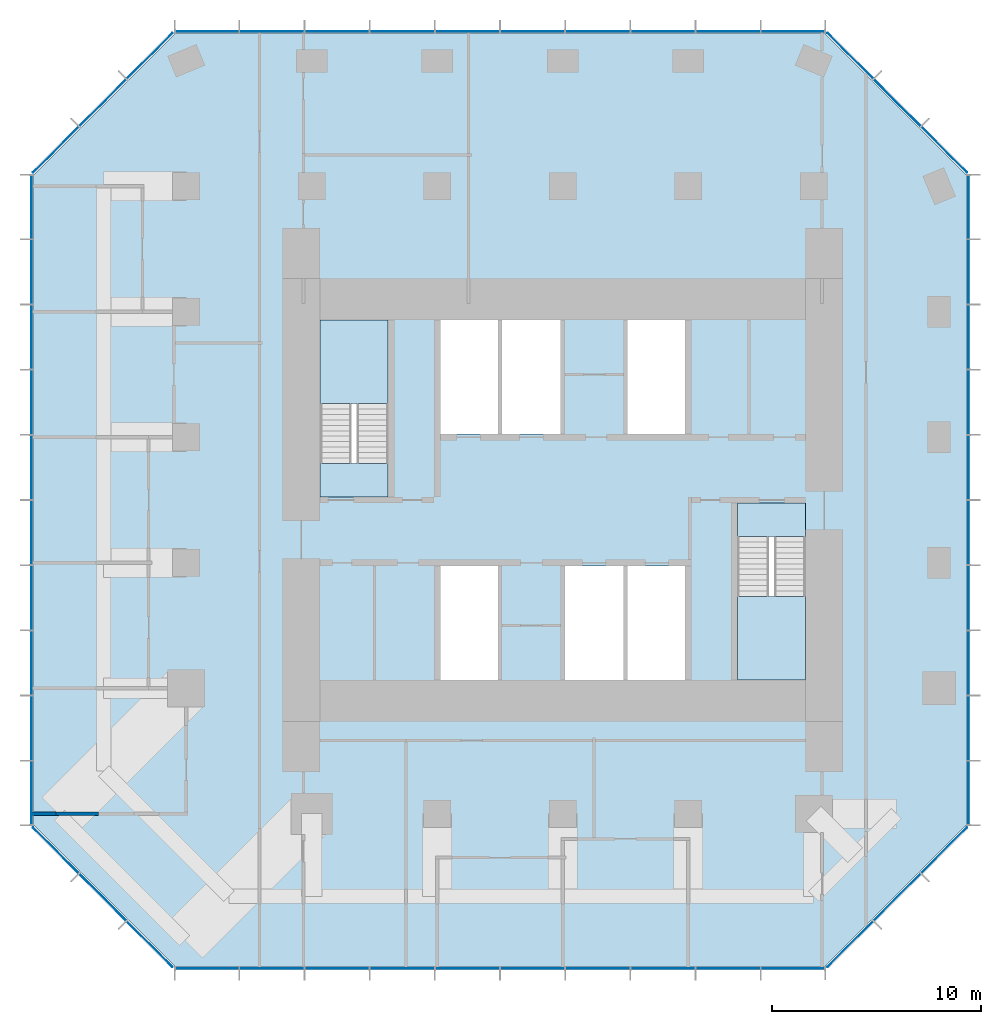
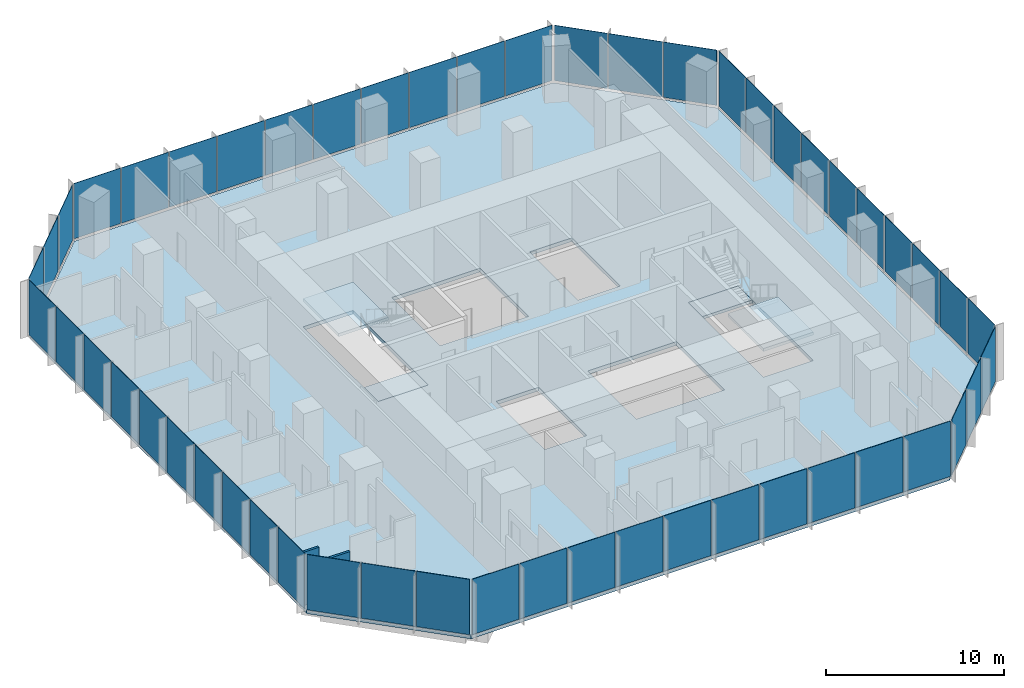
# One storey, part 7 of 11: 52 plates, 5 slabs, 2 walls, 10 elements without a shape of their own.
"""IFC4 building model written with IfcOpenShell, lengths in metres."""

from ifc_helpers import new_model, si_unit, direction, frame, frame_2d, origin, origin_2d, place, context, subcontext, project, spatial, polyline, rectangle, outline, extrude, material, layer, layer_set, type_object, element, aggregate, save


model = new_model("IFC4")

# Units and contexts
model_context = context("Model", 3, precision=1e-05, world=origin(), true_north=direction((0.0, 1.0)))
body_context = subcontext(model_context, "Body", "Model", "MODEL_VIEW")
ifc_project = project(units=[si_unit("LENGTHUNIT", "METRE"), si_unit("AREAUNIT", "SQUARE_METRE"), si_unit("VOLUMEUNIT", "CUBIC_METRE"), si_unit("PLANEANGLEUNIT", "RADIAN"), si_unit("MASSUNIT", "GRAM", prefix="KILO")], contexts=[model_context])

# Site, building, storey
site_placement = place(None, origin())
site = spatial("IfcSite", under=ifc_project, at=site_placement, CompositionType="ELEMENT")
building_placement = place(site_placement, origin())
building = spatial("IfcBuilding", under=site, at=building_placement, Name="Highveld Stack Headquarters", CompositionType="ELEMENT")
storey_placement = place(building_placement, frame((0.0, 0.0, 227.89990234375)))
storey = spatial("IfcBuildingStorey", under=building, at=storey_placement, Name="L56", CompositionType="ELEMENT", Elevation=227.89990234375)

# Curtain wall, plates
ifc_material_1 = material(Name="Aluminium bronze anodised", Category="aluminium")
ifc_layer_1 = layer(ifc_material_1, 0.199951171875)
ifc_layer_set_1 = layer_set([ifc_layer_1], Name="Aluminium bronze anodised")
curtain_wall_type_1 = type_object("IfcCurtainWallType", Name="CW1 TOWER UNITISED CURTAIN WALL", PredefinedType="NOTDEFINED", material=ifc_layer_set_1)
curtain_wall_1_placement = place(storey_placement, origin())
curtain_wall_1 = element("IfcCurtainWall", 1, at=curtain_wall_1_placement, inside=storey, type_object=curtain_wall_type_1, Name="Curtain wall CW1 L56 S", PredefinedType="NOTDEFINED")
ifc_material_2 = material(Name="Glass bronze tinted double glazed unit", Category="glass")
ifc_layer_2 = layer(ifc_material_2, 0.028076171875)
ifc_layer_set_2 = layer_set([ifc_layer_2], Name="Glass bronze tinted double glazed unit")
plate_type_1 = type_object("IfcPlateType", Name="CW1 PANEL BRONZE TINTED DOUBLE GLAZED UNIT", PredefinedType="CURTAIN_PANEL", material=ifc_layer_set_2)
plate_1_placement = place(storey_placement, frame((-11.005615234375, -19.39990234375, 0.10009765625), z_axis=(0.0, 0.0, 1.0), x_axis=(1.0, 0.0, 0.0)))
plate_1 = element("IfcPlate", 2, at=plate_1_placement, type_object=plate_type_1, Name="CW1 panel L56 1.1", PredefinedType="CURTAIN_PANEL", context=body_context, shape_type="SweptSolid", body=[
    extrude(rectangle(XDim=3.0185546875, YDim=0.028076171875, at=origin_2d()), origin(), (0.0, 0.0, 1.0), 3.800048828125),
])
plate_2_placement = place(storey_placement, frame((-7.906005859375, -19.39990234375, 0.10009765625), z_axis=(0.0, 0.0, 1.0), x_axis=(1.0, 0.0, 0.0)))
plate_2 = element("IfcPlate", 3, at=plate_2_placement, type_object=plate_type_1, Name="CW1 panel L56 2.1", PredefinedType="CURTAIN_PANEL", context=body_context, shape_type="SweptSolid", body=[
    extrude(rectangle(XDim=3.051025390625, YDim=0.028076171875, at=origin_2d()), origin(), (0.0, 0.0, 1.0), 3.800048828125),
])
plate_3_placement = place(storey_placement, frame((-4.7900390625, -19.39990234375, 0.10009765625), z_axis=(0.0, 0.0, 1.0), x_axis=(1.0, 0.0, 0.0)))
plate_3 = element("IfcPlate", 4, at=plate_3_placement, type_object=plate_type_1, Name="CW1 panel L56 3.1", PredefinedType="CURTAIN_PANEL", context=body_context, shape_type="SweptSolid", body=[
    extrude(rectangle(XDim=3.051025390625, YDim=0.028076171875, at=origin_2d()), origin(), (0.0, 0.0, 1.0), 3.800048828125),
])
plate_4_placement = place(storey_placement, frame((-1.674072265625, -19.39990234375, 0.10009765625), z_axis=(0.0, 0.0, 1.0), x_axis=(1.0, 0.0, 0.0)))
plate_4 = element("IfcPlate", 5, at=plate_4_placement, type_object=plate_type_1, Name="CW1 panel L56 4.1", PredefinedType="CURTAIN_PANEL", context=body_context, shape_type="SweptSolid", body=[
    extrude(rectangle(XDim=3.051025390625, YDim=0.028076171875, at=origin_2d()), origin(), (0.0, 0.0, 1.0), 3.800048828125),
])
plate_5_placement = place(storey_placement, frame((1.44189453125, -19.39990234375, 0.10009765625), z_axis=(0.0, 0.0, 1.0), x_axis=(1.0, 0.0, 0.0)))
plate_5 = element("IfcPlate", 6, at=plate_5_placement, type_object=plate_type_1, Name="CW1 panel L56 5.1", PredefinedType="CURTAIN_PANEL", context=body_context, shape_type="SweptSolid", body=[
    extrude(rectangle(XDim=3.051025390625, YDim=0.028076171875, at=origin_2d()), origin(), (0.0, 0.0, 1.0), 3.800048828125),
])
plate_6_placement = place(storey_placement, frame((4.55810546875, -19.39990234375, 0.10009765625), z_axis=(0.0, 0.0, 1.0), x_axis=(1.0, 0.0, 0.0)))
plate_6 = element("IfcPlate", 7, at=plate_6_placement, type_object=plate_type_1, Name="CW1 panel L56 6.1", PredefinedType="CURTAIN_PANEL", context=body_context, shape_type="SweptSolid", body=[
    extrude(rectangle(XDim=3.051025390625, YDim=0.028076171875, at=origin_2d()), origin(), (0.0, 0.0, 1.0), 3.800048828125),
])
plate_7_placement = place(storey_placement, frame((7.674072265625, -19.39990234375, 0.10009765625), z_axis=(0.0, 0.0, 1.0), x_axis=(1.0, 0.0, 0.0)))
plate_7 = element("IfcPlate", 8, at=plate_7_placement, type_object=plate_type_1, Name="CW1 panel L56 7.1", PredefinedType="CURTAIN_PANEL", context=body_context, shape_type="SweptSolid", body=[
    extrude(rectangle(XDim=3.051025390625, YDim=0.028076171875, at=origin_2d()), origin(), (0.0, 0.0, 1.0), 3.800048828125),
])
plate_8_placement = place(storey_placement, frame((10.789794921875, -19.39990234375, 0.10009765625), z_axis=(0.0, 0.0, 1.0), x_axis=(1.0, 0.0, 0.0)))
plate_8 = element("IfcPlate", 9, at=plate_8_placement, type_object=plate_type_1, Name="CW1 panel L56 8.1", PredefinedType="CURTAIN_PANEL", context=body_context, shape_type="SweptSolid", body=[
    extrude(rectangle(XDim=3.051025390625, YDim=0.028076171875, at=origin_2d()), origin(), (0.0, 0.0, 1.0), 3.800048828125),
])
plate_9_placement = place(storey_placement, frame((13.906005859375, -19.39990234375, 0.10009765625), z_axis=(0.0, 0.0, 1.0), x_axis=(1.0, 0.0, 0.0)))
plate_9 = element("IfcPlate", 10, at=plate_9_placement, type_object=plate_type_1, Name="CW1 panel L56 9.1", PredefinedType="CURTAIN_PANEL", context=body_context, shape_type="SweptSolid", body=[
    extrude(rectangle(XDim=3.051025390625, YDim=0.028076171875, at=origin_2d()), origin(), (0.0, 0.0, 1.0), 3.800048828125),
])
plate_10_placement = place(storey_placement, frame((17.005615234375, -19.39990234375, 0.10009765625), z_axis=(0.0, 0.0, 1.0), x_axis=(1.0, 0.0, 0.0)))
plate_10 = element("IfcPlate", 11, at=plate_10_placement, type_object=plate_type_1, Name="CW1 panel L56 10.1", PredefinedType="CURTAIN_PANEL", context=body_context, shape_type="SweptSolid", body=[
    extrude(rectangle(XDim=3.0185546875, YDim=0.028076171875, at=origin_2d()), origin(), (0.0, 0.0, 1.0), 3.800048828125),
])
aggregate(curtain_wall_1, [plate_1, plate_2, plate_3, plate_4, plate_5, plate_6, plate_7, plate_8, plate_9, plate_10])

curtain_wall_2_placement = place(storey_placement, origin())
curtain_wall_2 = element("IfcCurtainWall", 12, at=curtain_wall_2_placement, inside=storey, type_object=curtain_wall_type_1, Name="Curtain wall CW1 L56 E", PredefinedType="NOTDEFINED")
plate_11_placement = place(storey_placement, frame((25.39990234375, -11.005615234375, 0.10009765625), z_axis=(0.0, 0.0, 1.0), x_axis=(0.0, 1.0, 0.0)))
plate_11 = element("IfcPlate", 13, at=plate_11_placement, type_object=plate_type_1, Name="CW1 panel L56 1.1", PredefinedType="CURTAIN_PANEL", context=body_context, shape_type="SweptSolid", body=[
    extrude(rectangle(XDim=3.0185546875, YDim=0.028076171875, at=origin_2d()), origin(), (0.0, 0.0, 1.0), 3.800048828125),
])
plate_12_placement = place(storey_placement, frame((25.39990234375, -7.906005859375, 0.10009765625), z_axis=(0.0, 0.0, 1.0), x_axis=(0.0, 1.0, 0.0)))
plate_12 = element("IfcPlate", 14, at=plate_12_placement, type_object=plate_type_1, Name="CW1 panel L56 2.1", PredefinedType="CURTAIN_PANEL", context=body_context, shape_type="SweptSolid", body=[
    extrude(rectangle(XDim=3.051025390625, YDim=0.028076171875, at=origin_2d()), origin(), (0.0, 0.0, 1.0), 3.800048828125),
])
plate_13_placement = place(storey_placement, frame((25.39990234375, -4.7900390625, 0.10009765625), z_axis=(0.0, 0.0, 1.0), x_axis=(0.0, 1.0, 0.0)))
plate_13 = element("IfcPlate", 15, at=plate_13_placement, type_object=plate_type_1, Name="CW1 panel L56 3.1", PredefinedType="CURTAIN_PANEL", context=body_context, shape_type="SweptSolid", body=[
    extrude(rectangle(XDim=3.051025390625, YDim=0.028076171875, at=origin_2d()), origin(), (0.0, 0.0, 1.0), 3.800048828125),
])
plate_14_placement = place(storey_placement, frame((25.39990234375, -1.674072265625, 0.10009765625), z_axis=(0.0, 0.0, 1.0), x_axis=(0.0, 1.0, 0.0)))
plate_14 = element("IfcPlate", 16, at=plate_14_placement, type_object=plate_type_1, Name="CW1 panel L56 4.1", PredefinedType="CURTAIN_PANEL", context=body_context, shape_type="SweptSolid", body=[
    extrude(rectangle(XDim=3.051025390625, YDim=0.028076171875, at=origin_2d()), origin(), (0.0, 0.0, 1.0), 3.800048828125),
])
plate_15_placement = place(storey_placement, frame((25.39990234375, 1.44189453125, 0.10009765625), z_axis=(0.0, 0.0, 1.0), x_axis=(0.0, 1.0, 0.0)))
plate_15 = element("IfcPlate", 17, at=plate_15_placement, type_object=plate_type_1, Name="CW1 panel L56 5.1", PredefinedType="CURTAIN_PANEL", context=body_context, shape_type="SweptSolid", body=[
    extrude(rectangle(XDim=3.051025390625, YDim=0.028076171875, at=origin_2d()), origin(), (0.0, 0.0, 1.0), 3.800048828125),
])
plate_16_placement = place(storey_placement, frame((25.39990234375, 4.55810546875, 0.10009765625), z_axis=(0.0, 0.0, 1.0), x_axis=(0.0, 1.0, 0.0)))
plate_16 = element("IfcPlate", 18, at=plate_16_placement, type_object=plate_type_1, Name="CW1 panel L56 6.1", PredefinedType="CURTAIN_PANEL", context=body_context, shape_type="SweptSolid", body=[
    extrude(rectangle(XDim=3.051025390625, YDim=0.028076171875, at=origin_2d()), origin(), (0.0, 0.0, 1.0), 3.800048828125),
])
plate_17_placement = place(storey_placement, frame((25.39990234375, 7.674072265625, 0.10009765625), z_axis=(0.0, 0.0, 1.0), x_axis=(0.0, 1.0, 0.0)))
plate_17 = element("IfcPlate", 19, at=plate_17_placement, type_object=plate_type_1, Name="CW1 panel L56 7.1", PredefinedType="CURTAIN_PANEL", context=body_context, shape_type="SweptSolid", body=[
    extrude(rectangle(XDim=3.051025390625, YDim=0.028076171875, at=origin_2d()), origin(), (0.0, 0.0, 1.0), 3.800048828125),
])
plate_18_placement = place(storey_placement, frame((25.39990234375, 10.789794921875, 0.10009765625), z_axis=(0.0, 0.0, 1.0), x_axis=(0.0, 1.0, 0.0)))
plate_18 = element("IfcPlate", 20, at=plate_18_placement, type_object=plate_type_1, Name="CW1 panel L56 8.1", PredefinedType="CURTAIN_PANEL", context=body_context, shape_type="SweptSolid", body=[
    extrude(rectangle(XDim=3.051025390625, YDim=0.028076171875, at=origin_2d()), origin(), (0.0, 0.0, 1.0), 3.800048828125),
])
plate_19_placement = place(storey_placement, frame((25.39990234375, 13.906005859375, 0.10009765625), z_axis=(0.0, 0.0, 1.0), x_axis=(0.0, 1.0, 0.0)))
plate_19 = element("IfcPlate", 21, at=plate_19_placement, type_object=plate_type_1, Name="CW1 panel L56 9.1", PredefinedType="CURTAIN_PANEL", context=body_context, shape_type="SweptSolid", body=[
    extrude(rectangle(XDim=3.051025390625, YDim=0.028076171875, at=origin_2d()), origin(), (0.0, 0.0, 1.0), 3.800048828125),
])
plate_20_placement = place(storey_placement, frame((25.39990234375, 17.005615234375, 0.10009765625), z_axis=(0.0, 0.0, 1.0), x_axis=(0.0, 1.0, 0.0)))
plate_20 = element("IfcPlate", 22, at=plate_20_placement, type_object=plate_type_1, Name="CW1 panel L56 10.1", PredefinedType="CURTAIN_PANEL", context=body_context, shape_type="SweptSolid", body=[
    extrude(rectangle(XDim=3.0185546875, YDim=0.028076171875, at=origin_2d()), origin(), (0.0, 0.0, 1.0), 3.800048828125),
])
aggregate(curtain_wall_2, [plate_11, plate_12, plate_13, plate_14, plate_15, plate_16, plate_17, plate_18, plate_19, plate_20])

curtain_wall_3_placement = place(storey_placement, origin())
curtain_wall_3 = element("IfcCurtainWall", 23, at=curtain_wall_3_placement, inside=storey, type_object=curtain_wall_type_1, Name="Curtain wall CW1 L56 N", PredefinedType="NOTDEFINED")
plate_21_placement = place(storey_placement, frame((17.005615234375, 25.39990234375, 0.10009765625), z_axis=(0.0, 0.0, 1.0), x_axis=(-1.0, 0.0, 0.0)))
plate_21 = element("IfcPlate", 24, at=plate_21_placement, type_object=plate_type_1, Name="CW1 panel L56 1.1", PredefinedType="CURTAIN_PANEL", context=body_context, shape_type="SweptSolid", body=[
    extrude(rectangle(XDim=3.0185546875, YDim=0.028076171875, at=origin_2d()), origin(), (0.0, 0.0, 1.0), 3.800048828125),
])
plate_22_placement = place(storey_placement, frame((13.906005859375, 25.39990234375, 0.10009765625), z_axis=(0.0, 0.0, 1.0), x_axis=(-1.0, 0.0, 0.0)))
plate_22 = element("IfcPlate", 25, at=plate_22_placement, type_object=plate_type_1, Name="CW1 panel L56 2.1", PredefinedType="CURTAIN_PANEL", context=body_context, shape_type="SweptSolid", body=[
    extrude(rectangle(XDim=3.051025390625, YDim=0.028076171875, at=origin_2d()), origin(), (0.0, 0.0, 1.0), 3.800048828125),
])
plate_23_placement = place(storey_placement, frame((10.7900390625, 25.39990234375, 0.10009765625), z_axis=(0.0, 0.0, 1.0), x_axis=(-1.0, 0.0, 0.0)))
plate_23 = element("IfcPlate", 26, at=plate_23_placement, type_object=plate_type_1, Name="CW1 panel L56 3.1", PredefinedType="CURTAIN_PANEL", context=body_context, shape_type="SweptSolid", body=[
    extrude(rectangle(XDim=3.051025390625, YDim=0.028076171875, at=origin_2d()), origin(), (0.0, 0.0, 1.0), 3.800048828125),
])
plate_24_placement = place(storey_placement, frame((7.674072265625, 25.39990234375, 0.10009765625), z_axis=(0.0, 0.0, 1.0), x_axis=(-1.0, 0.0, 0.0)))
plate_24 = element("IfcPlate", 27, at=plate_24_placement, type_object=plate_type_1, Name="CW1 panel L56 4.1", PredefinedType="CURTAIN_PANEL", context=body_context, shape_type="SweptSolid", body=[
    extrude(rectangle(XDim=3.051025390625, YDim=0.028076171875, at=origin_2d()), origin(), (0.0, 0.0, 1.0), 3.800048828125),
])
plate_25_placement = place(storey_placement, frame((4.55810546875, 25.39990234375, 0.10009765625), z_axis=(0.0, 0.0, 1.0), x_axis=(-1.0, 0.0, 0.0)))
plate_25 = element("IfcPlate", 28, at=plate_25_placement, type_object=plate_type_1, Name="CW1 panel L56 5.1", PredefinedType="CURTAIN_PANEL", context=body_context, shape_type="SweptSolid", body=[
    extrude(rectangle(XDim=3.051025390625, YDim=0.028076171875, at=origin_2d()), origin(), (0.0, 0.0, 1.0), 3.800048828125),
])
plate_26_placement = place(storey_placement, frame((1.44189453125, 25.39990234375, 0.10009765625), z_axis=(0.0, 0.0, 1.0), x_axis=(-1.0, 0.0, 0.0)))
plate_26 = element("IfcPlate", 29, at=plate_26_placement, type_object=plate_type_1, Name="CW1 panel L56 6.1", PredefinedType="CURTAIN_PANEL", context=body_context, shape_type="SweptSolid", body=[
    extrude(rectangle(XDim=3.051025390625, YDim=0.028076171875, at=origin_2d()), origin(), (0.0, 0.0, 1.0), 3.800048828125),
])
plate_27_placement = place(storey_placement, frame((-1.674072265625, 25.39990234375, 0.10009765625), z_axis=(0.0, 0.0, 1.0), x_axis=(-1.0, 0.0, 0.0)))
plate_27 = element("IfcPlate", 30, at=plate_27_placement, type_object=plate_type_1, Name="CW1 panel L56 7.1", PredefinedType="CURTAIN_PANEL", context=body_context, shape_type="SweptSolid", body=[
    extrude(rectangle(XDim=3.051025390625, YDim=0.028076171875, at=origin_2d()), origin(), (0.0, 0.0, 1.0), 3.800048828125),
])
plate_28_placement = place(storey_placement, frame((-4.789794921875, 25.39990234375, 0.10009765625), z_axis=(0.0, 0.0, 1.0), x_axis=(-1.0, 0.0, 0.0)))
plate_28 = element("IfcPlate", 31, at=plate_28_placement, type_object=plate_type_1, Name="CW1 panel L56 8.1", PredefinedType="CURTAIN_PANEL", context=body_context, shape_type="SweptSolid", body=[
    extrude(rectangle(XDim=3.051025390625, YDim=0.028076171875, at=origin_2d()), origin(), (0.0, 0.0, 1.0), 3.800048828125),
])
plate_29_placement = place(storey_placement, frame((-7.906005859375, 25.39990234375, 0.10009765625), z_axis=(0.0, 0.0, 1.0), x_axis=(-1.0, 0.0, 0.0)))
plate_29 = element("IfcPlate", 32, at=plate_29_placement, type_object=plate_type_1, Name="CW1 panel L56 9.1", PredefinedType="CURTAIN_PANEL", context=body_context, shape_type="SweptSolid", body=[
    extrude(rectangle(XDim=3.051025390625, YDim=0.028076171875, at=origin_2d()), origin(), (0.0, 0.0, 1.0), 3.800048828125),
])
plate_30_placement = place(storey_placement, frame((-11.005615234375, 25.39990234375, 0.10009765625), z_axis=(0.0, 0.0, 1.0), x_axis=(-1.0, 0.0, 0.0)))
plate_30 = element("IfcPlate", 33, at=plate_30_placement, type_object=plate_type_1, Name="CW1 panel L56 10.1", PredefinedType="CURTAIN_PANEL", context=body_context, shape_type="SweptSolid", body=[
    extrude(rectangle(XDim=3.0185546875, YDim=0.028076171875, at=origin_2d()), origin(), (0.0, 0.0, 1.0), 3.800048828125),
])
aggregate(curtain_wall_3, [plate_21, plate_22, plate_23, plate_24, plate_25, plate_26, plate_27, plate_28, plate_29, plate_30])

curtain_wall_4_placement = place(storey_placement, origin())
curtain_wall_4 = element("IfcCurtainWall", 34, at=curtain_wall_4_placement, inside=storey, type_object=curtain_wall_type_1, Name="Curtain wall CW1 L56 W", PredefinedType="NOTDEFINED")
plate_31_placement = place(storey_placement, frame((-19.39990234375, 17.005615234375, 0.10009765625), z_axis=(0.0, 0.0, 1.0), x_axis=(0.0, -1.0, 0.0)))
plate_31 = element("IfcPlate", 35, at=plate_31_placement, type_object=plate_type_1, Name="CW1 panel L56 1.1", PredefinedType="CURTAIN_PANEL", context=body_context, shape_type="SweptSolid", body=[
    extrude(rectangle(XDim=3.0185546875, YDim=0.028076171875, at=origin_2d()), origin(), (0.0, 0.0, 1.0), 3.800048828125),
])
plate_32_placement = place(storey_placement, frame((-19.39990234375, 13.906005859375, 0.10009765625), z_axis=(0.0, 0.0, 1.0), x_axis=(0.0, -1.0, 0.0)))
plate_32 = element("IfcPlate", 36, at=plate_32_placement, type_object=plate_type_1, Name="CW1 panel L56 2.1", PredefinedType="CURTAIN_PANEL", context=body_context, shape_type="SweptSolid", body=[
    extrude(rectangle(XDim=3.051025390625, YDim=0.028076171875, at=origin_2d()), origin(), (0.0, 0.0, 1.0), 3.800048828125),
])
plate_33_placement = place(storey_placement, frame((-19.39990234375, 10.7900390625, 0.10009765625), z_axis=(0.0, 0.0, 1.0), x_axis=(0.0, -1.0, 0.0)))
plate_33 = element("IfcPlate", 37, at=plate_33_placement, type_object=plate_type_1, Name="CW1 panel L56 3.1", PredefinedType="CURTAIN_PANEL", context=body_context, shape_type="SweptSolid", body=[
    extrude(rectangle(XDim=3.051025390625, YDim=0.028076171875, at=origin_2d()), origin(), (0.0, 0.0, 1.0), 3.800048828125),
])
plate_34_placement = place(storey_placement, frame((-19.39990234375, 7.674072265625, 0.10009765625), z_axis=(0.0, 0.0, 1.0), x_axis=(0.0, -1.0, 0.0)))
plate_34 = element("IfcPlate", 38, at=plate_34_placement, type_object=plate_type_1, Name="CW1 panel L56 4.1", PredefinedType="CURTAIN_PANEL", context=body_context, shape_type="SweptSolid", body=[
    extrude(rectangle(XDim=3.051025390625, YDim=0.028076171875, at=origin_2d()), origin(), (0.0, 0.0, 1.0), 3.800048828125),
])
plate_35_placement = place(storey_placement, frame((-19.39990234375, 4.55810546875, 0.10009765625), z_axis=(0.0, 0.0, 1.0), x_axis=(0.0, -1.0, 0.0)))
plate_35 = element("IfcPlate", 39, at=plate_35_placement, type_object=plate_type_1, Name="CW1 panel L56 5.1", PredefinedType="CURTAIN_PANEL", context=body_context, shape_type="SweptSolid", body=[
    extrude(rectangle(XDim=3.051025390625, YDim=0.028076171875, at=origin_2d()), origin(), (0.0, 0.0, 1.0), 3.800048828125),
])
plate_36_placement = place(storey_placement, frame((-19.39990234375, 1.44189453125, 0.10009765625), z_axis=(0.0, 0.0, 1.0), x_axis=(0.0, -1.0, 0.0)))
plate_36 = element("IfcPlate", 40, at=plate_36_placement, type_object=plate_type_1, Name="CW1 panel L56 6.1", PredefinedType="CURTAIN_PANEL", context=body_context, shape_type="SweptSolid", body=[
    extrude(rectangle(XDim=3.051025390625, YDim=0.028076171875, at=origin_2d()), origin(), (0.0, 0.0, 1.0), 3.800048828125),
])
plate_37_placement = place(storey_placement, frame((-19.39990234375, -1.674072265625, 0.10009765625), z_axis=(0.0, 0.0, 1.0), x_axis=(0.0, -1.0, 0.0)))
plate_37 = element("IfcPlate", 41, at=plate_37_placement, type_object=plate_type_1, Name="CW1 panel L56 7.1", PredefinedType="CURTAIN_PANEL", context=body_context, shape_type="SweptSolid", body=[
    extrude(rectangle(XDim=3.051025390625, YDim=0.028076171875, at=origin_2d()), origin(), (0.0, 0.0, 1.0), 3.800048828125),
])
plate_38_placement = place(storey_placement, frame((-19.39990234375, -4.789794921875, 0.10009765625), z_axis=(0.0, 0.0, 1.0), x_axis=(0.0, -1.0, 0.0)))
plate_38 = element("IfcPlate", 42, at=plate_38_placement, type_object=plate_type_1, Name="CW1 panel L56 8.1", PredefinedType="CURTAIN_PANEL", context=body_context, shape_type="SweptSolid", body=[
    extrude(rectangle(XDim=3.051025390625, YDim=0.028076171875, at=origin_2d()), origin(), (0.0, 0.0, 1.0), 3.800048828125),
])
plate_39_placement = place(storey_placement, frame((-19.39990234375, -7.906005859375, 0.10009765625), z_axis=(0.0, 0.0, 1.0), x_axis=(0.0, -1.0, 0.0)))
plate_39 = element("IfcPlate", 43, at=plate_39_placement, type_object=plate_type_1, Name="CW1 panel L56 9.1", PredefinedType="CURTAIN_PANEL", context=body_context, shape_type="SweptSolid", body=[
    extrude(rectangle(XDim=3.051025390625, YDim=0.028076171875, at=origin_2d()), origin(), (0.0, 0.0, 1.0), 3.800048828125),
])
plate_40_placement = place(storey_placement, frame((-19.39990234375, -11.005615234375, 0.10009765625), z_axis=(0.0, 0.0, 1.0), x_axis=(0.0, -1.0, 0.0)))
plate_40 = element("IfcPlate", 44, at=plate_40_placement, type_object=plate_type_1, Name="CW1 panel L56 10.1", PredefinedType="CURTAIN_PANEL", context=body_context, shape_type="SweptSolid", body=[
    extrude(rectangle(XDim=3.0185546875, YDim=0.028076171875, at=origin_2d()), origin(), (0.0, 0.0, 1.0), 3.800048828125),
])
aggregate(curtain_wall_4, [plate_31, plate_32, plate_33, plate_34, plate_35, plate_36, plate_37, plate_38, plate_39, plate_40])

ifc_material_3 = material(Name="Aluminium bronze anodised", Category="aluminium")
ifc_layer_3 = layer(ifc_material_3, 0.199951171875)
ifc_layer_set_3 = layer_set([ifc_layer_3], Name="Aluminium bronze anodised")
curtain_wall_type_2 = type_object("IfcCurtainWallType", Name="CW2 TOWER CHAMFER UNITISED CURTAIN WALL", PredefinedType="NOTDEFINED", material=ifc_layer_set_3)
curtain_wall_5_placement = place(storey_placement, origin())
curtain_wall_5 = element("IfcCurtainWall", 45, at=curtain_wall_5_placement, inside=storey, type_object=curtain_wall_type_2, Name="Curtain wall CW2 L56 SE", PredefinedType="NOTDEFINED")
ifc_material_4 = material(Name="Glass bronze tinted double glazed unit", Category="glass")
ifc_layer_4 = layer(ifc_material_4, 0.028076171875)
ifc_layer_set_4 = layer_set([ifc_layer_4], Name="Glass bronze tinted double glazed unit")
plate_type_2 = type_object("IfcPlateType", Name="CW2 PANEL BRONZE TINTED DOUBLE GLAZED UNIT", PredefinedType="CURTAIN_PANEL", material=ifc_layer_set_4)
plate_41_placement = place(storey_placement, frame((19.740478515625, -18.239501953125, 0.10009765625), z_axis=(0.0, 0.0, 1.0), x_axis=(0.707106781187, 0.707106781187, 0.0)))
plate_41 = element("IfcPlate", 46, at=plate_41_placement, type_object=plate_type_2, Name="CW2 panel L56 1.1", PredefinedType="CURTAIN_PANEL", context=body_context, shape_type="SweptSolid", body=[
    extrude(rectangle(XDim=3.08251953125, YDim=0.028076171875, at=origin_2d()), origin(), (0.0, 0.0, 1.0), 3.800048828125),
])
plate_42_placement = place(storey_placement, frame((21.989990234375, -15.989990234375, 0.10009765625), z_axis=(0.0, 0.0, 1.0), x_axis=(0.707106781187, 0.707106781187, 0.0)))
plate_42 = element("IfcPlate", 47, at=plate_42_placement, type_object=plate_type_2, Name="CW2 panel L56 2.1", PredefinedType="CURTAIN_PANEL", context=body_context, shape_type="SweptSolid", body=[
    extrude(rectangle(XDim=3.14990234375, YDim=0.028076171875, at=origin_2d()), origin(), (0.0, 0.0, 1.0), 3.800048828125),
])
plate_43_placement = place(storey_placement, frame((24.239501953125, -13.740478515625, 0.10009765625), z_axis=(0.0, 0.0, 1.0), x_axis=(0.707106781187, 0.707106781187, 0.0)))
plate_43 = element("IfcPlate", 48, at=plate_43_placement, type_object=plate_type_2, Name="CW2 panel L56 3.1", PredefinedType="CURTAIN_PANEL", context=body_context, shape_type="SweptSolid", body=[
    extrude(rectangle(XDim=3.08251953125, YDim=0.028076171875, at=origin_2d()), origin(), (0.0, 0.0, 1.0), 3.800048828125),
])
aggregate(curtain_wall_5, [plate_41, plate_42, plate_43])

curtain_wall_6_placement = place(storey_placement, origin())
curtain_wall_6 = element("IfcCurtainWall", 49, at=curtain_wall_6_placement, inside=storey, type_object=curtain_wall_type_2, Name="Curtain wall CW2 L56 NE", PredefinedType="NOTDEFINED")
plate_44_placement = place(storey_placement, frame((24.239501953125, 19.740478515625, 0.10009765625), z_axis=(0.0, 0.0, 1.0), x_axis=(-0.707106781187, 0.707106781187, 0.0)))
plate_44 = element("IfcPlate", 50, at=plate_44_placement, type_object=plate_type_2, Name="CW2 panel L56 1.1", PredefinedType="CURTAIN_PANEL", context=body_context, shape_type="SweptSolid", body=[
    extrude(rectangle(XDim=3.08251953125, YDim=0.028076171875, at=origin_2d()), origin(), (0.0, 0.0, 1.0), 3.800048828125),
])
plate_45_placement = place(storey_placement, frame((21.989990234375, 21.989990234375, 0.10009765625), z_axis=(0.0, 0.0, 1.0), x_axis=(-0.707106781187, 0.707106781187, 0.0)))
plate_45 = element("IfcPlate", 51, at=plate_45_placement, type_object=plate_type_2, Name="CW2 panel L56 2.1", PredefinedType="CURTAIN_PANEL", context=body_context, shape_type="SweptSolid", body=[
    extrude(rectangle(XDim=3.14990234375, YDim=0.028076171875, at=origin_2d()), origin(), (0.0, 0.0, 1.0), 3.800048828125),
])
plate_46_placement = place(storey_placement, frame((19.740478515625, 24.239501953125, 0.10009765625), z_axis=(0.0, 0.0, 1.0), x_axis=(-0.707106781187, 0.707106781187, 0.0)))
plate_46 = element("IfcPlate", 52, at=plate_46_placement, type_object=plate_type_2, Name="CW2 panel L56 3.1", PredefinedType="CURTAIN_PANEL", context=body_context, shape_type="SweptSolid", body=[
    extrude(rectangle(XDim=3.08251953125, YDim=0.028076171875, at=origin_2d()), origin(), (0.0, 0.0, 1.0), 3.800048828125),
])
aggregate(curtain_wall_6, [plate_44, plate_45, plate_46])

curtain_wall_7_placement = place(storey_placement, origin())
curtain_wall_7 = element("IfcCurtainWall", 53, at=curtain_wall_7_placement, inside=storey, type_object=curtain_wall_type_2, Name="Curtain wall CW2 L56 NW", PredefinedType="NOTDEFINED")
plate_47_placement = place(storey_placement, frame((-13.740478515625, 24.239501953125, 0.10009765625), z_axis=(0.0, 0.0, 1.0), x_axis=(-0.707106781187, -0.707106781187, 0.0)))
plate_47 = element("IfcPlate", 54, at=plate_47_placement, type_object=plate_type_2, Name="CW2 panel L56 1.1", PredefinedType="CURTAIN_PANEL", context=body_context, shape_type="SweptSolid", body=[
    extrude(rectangle(XDim=3.08251953125, YDim=0.028076171875, at=origin_2d()), origin(), (0.0, 0.0, 1.0), 3.800048828125),
])
plate_48_placement = place(storey_placement, frame((-15.989990234375, 21.989990234375, 0.10009765625), z_axis=(0.0, 0.0, 1.0), x_axis=(-0.707106781187, -0.707106781187, 0.0)))
plate_48 = element("IfcPlate", 55, at=plate_48_placement, type_object=plate_type_2, Name="CW2 panel L56 2.1", PredefinedType="CURTAIN_PANEL", context=body_context, shape_type="SweptSolid", body=[
    extrude(rectangle(XDim=3.14990234375, YDim=0.028076171875, at=origin_2d()), origin(), (0.0, 0.0, 1.0), 3.800048828125),
])
plate_49_placement = place(storey_placement, frame((-18.239501953125, 19.740478515625, 0.10009765625), z_axis=(0.0, 0.0, 1.0), x_axis=(-0.707106781187, -0.707106781187, 0.0)))
plate_49 = element("IfcPlate", 56, at=plate_49_placement, type_object=plate_type_2, Name="CW2 panel L56 3.1", PredefinedType="CURTAIN_PANEL", context=body_context, shape_type="SweptSolid", body=[
    extrude(rectangle(XDim=3.08251953125, YDim=0.028076171875, at=origin_2d()), origin(), (0.0, 0.0, 1.0), 3.800048828125),
])
aggregate(curtain_wall_7, [plate_47, plate_48, plate_49])

curtain_wall_8_placement = place(storey_placement, origin())
curtain_wall_8 = element("IfcCurtainWall", 57, at=curtain_wall_8_placement, inside=storey, type_object=curtain_wall_type_2, Name="Curtain wall CW2 L56 SW", PredefinedType="NOTDEFINED")
plate_50_placement = place(storey_placement, frame((-18.239501953125, -13.740478515625, 0.10009765625), z_axis=(0.0, 0.0, 1.0), x_axis=(0.707106781187, -0.707106781187, 0.0)))
plate_50 = element("IfcPlate", 58, at=plate_50_placement, type_object=plate_type_2, Name="CW2 panel L56 1.1", PredefinedType="CURTAIN_PANEL", context=body_context, shape_type="SweptSolid", body=[
    extrude(rectangle(XDim=3.08251953125, YDim=0.028076171875, at=origin_2d()), origin(), (0.0, 0.0, 1.0), 3.800048828125),
])
plate_51_placement = place(storey_placement, frame((-15.989990234375, -15.989990234375, 0.10009765625), z_axis=(0.0, 0.0, 1.0), x_axis=(0.707106781187, -0.707106781187, 0.0)))
plate_51 = element("IfcPlate", 59, at=plate_51_placement, type_object=plate_type_2, Name="CW2 panel L56 2.1", PredefinedType="CURTAIN_PANEL", context=body_context, shape_type="SweptSolid", body=[
    extrude(rectangle(XDim=3.14990234375, YDim=0.028076171875, at=origin_2d()), origin(), (0.0, 0.0, 1.0), 3.800048828125),
])
plate_52_placement = place(storey_placement, frame((-13.740478515625, -18.239501953125, 0.10009765625), z_axis=(0.0, 0.0, 1.0), x_axis=(0.707106781187, -0.707106781187, 0.0)))
plate_52 = element("IfcPlate", 60, at=plate_52_placement, type_object=plate_type_2, Name="CW2 panel L56 3.1", PredefinedType="CURTAIN_PANEL", context=body_context, shape_type="SweptSolid", body=[
    extrude(rectangle(XDim=3.08251953125, YDim=0.028076171875, at=origin_2d()), origin(), (0.0, 0.0, 1.0), 3.800048828125),
])
aggregate(curtain_wall_8, [plate_50, plate_51, plate_52])

# Slab
ifc_material_5 = material(Name="Concrete C60/75", Category="concrete")
ifc_layer_5 = layer(ifc_material_5, 0.25)
ifc_layer_set_5 = layer_set([ifc_layer_5], Name="Concrete C60/75")
slab_type_1 = type_object("IfcSlabType", Name="PT FLAT SLAB 250", PredefinedType="FLOOR", material=ifc_layer_set_5)
slab_1_placement = place(storey_placement, frame((0.0, 0.0, -0.25)))
element("IfcSlab", 61, at=slab_1_placement, inside=storey, type_object=slab_type_1, Name="Floor slab L56", PredefinedType="FLOOR", context=body_context, shape_type="SweptSolid", body=[
    extrude(outline(polyline([(-12.53857421875, -19.300048828125), (18.53857421875, -19.300048828125), (25.300048828125, -12.53857421875), (25.300048828125, 18.53857421875), (18.53857421875, 25.300048828125), (-12.53857421875, 25.300048828125), (-19.300048828125, 18.53857421875), (-19.300048828125, -12.53857421875), (-12.53857421875, -19.300048828125)]), holes=[polyline([(0.14990234375, 6.14990234375), (5.89990234375, 6.14990234375), (5.89990234375, 11.60009765625), (0.14990234375, 11.60009765625), (0.14990234375, 6.14990234375)]), polyline([(9.10009765625, 6.14990234375), (11.85009765625, 6.14990234375), (11.85009765625, 11.60009765625), (9.10009765625, 11.60009765625), (9.10009765625, 6.14990234375)]), polyline([(6.10009765625, -5.60009765625), (11.85009765625, -5.60009765625), (11.85009765625, -0.14990234375), (6.10009765625, -0.14990234375), (6.10009765625, -5.60009765625)]), polyline([(0.14990234375, -5.60009765625), (2.89990234375, -5.60009765625), (2.89990234375, -0.14990234375), (0.14990234375, -0.14990234375), (0.14990234375, -5.60009765625)]), polyline([(-5.60009765625, 3.14990234375), (-2.35009765625, 3.14990234375), (-2.35009765625, 11.60009765625), (-5.60009765625, 11.60009765625), (-5.60009765625, 3.14990234375)]), polyline([(14.35009765625, -5.60009765625), (17.60009765625, -5.60009765625), (17.60009765625, 2.85009765625), (14.35009765625, 2.85009765625), (14.35009765625, -5.60009765625)])]), origin(), (0.0, 0.0, 1.0), 0.25),
])

# Stair, slabs
ifc_material_6 = material(Name="Concrete C40/50, precast", Category="concrete")
stair_type_1 = type_object("IfcStairType", Name="STAIR S1 HALF TURN 1500", PredefinedType="HALF_TURN_STAIR", material=ifc_material_6)
stair_1_placement = place(storey_placement, origin())
stair_1 = element("IfcStair", 62, at=stair_1_placement, inside=storey, type_object=stair_type_1, Name="Stair S1 L56", PredefinedType="HALF_TURN_STAIR")
ifc_material_7 = material(Name="Concrete C40/50, precast", Category="concrete")
ifc_layer_6 = layer(ifc_material_7, 0.199951171875)
ifc_layer_set_6 = layer_set([ifc_layer_6], Name="Concrete C40/50, precast")
slab_type_2 = type_object("IfcSlabType", Name="STAIR LANDING 200", PredefinedType="LANDING", material=ifc_layer_set_6)
slab_2_placement = place(storey_placement, frame((0.0, 0.0, 1.75)))
slab_2 = element("IfcSlab", 63, at=slab_2_placement, type_object=slab_type_2, Name="S1 landing 1", PredefinedType="LANDING", context=body_context, shape_type="SweptSolid", body=[
    extrude(outline(polyline([(-5.60009765625, 7.610107421875), (-2.35009765625, 7.610107421875), (-2.35009765625, 11.60009765625), (-5.60009765625, 11.60009765625), (-5.60009765625, 7.610107421875)])), origin(), (0.0, 0.0, 1.0), 0.2001953125),
])
slab_3_placement = place(storey_placement, frame((0.0, 0.0, -0.199951171875)))
slab_3 = element("IfcSlab", 64, at=slab_3_placement, type_object=slab_type_2, Name="S1 landing 2", PredefinedType="LANDING", context=body_context, shape_type="SweptSolid", body=[
    extrude(outline(polyline([(-5.60009765625, 3.14990234375), (-2.35009765625, 3.14990234375), (-2.35009765625, 4.75), (-5.60009765625, 4.75), (-5.60009765625, 3.14990234375)])), origin(), (0.0, 0.0, 1.0), 0.199951171875),
])
aggregate(stair_1, [slab_2, slab_3])

ifc_material_8 = material(Name="Concrete C40/50, precast", Category="concrete")
stair_type_2 = type_object("IfcStairType", Name="STAIR S2 HALF TURN 1500", PredefinedType="HALF_TURN_STAIR", material=ifc_material_8)
stair_2_placement = place(storey_placement, origin())
stair_2 = element("IfcStair", 65, at=stair_2_placement, inside=storey, type_object=stair_type_2, Name="Stair S2 L56", PredefinedType="HALF_TURN_STAIR")
slab_4_placement = place(storey_placement, frame((0.0, 0.0, 1.75)))
slab_4 = element("IfcSlab", 66, at=slab_4_placement, type_object=slab_type_2, Name="S2 landing 1", PredefinedType="LANDING", context=body_context, shape_type="SweptSolid", body=[
    extrude(outline(polyline([(14.35009765625, -5.60009765625), (17.60009765625, -5.60009765625), (17.60009765625, -1.610107421875), (14.35009765625, -1.610107421875), (14.35009765625, -5.60009765625)])), origin(), (0.0, 0.0, 1.0), 0.2001953125),
])
slab_5_placement = place(storey_placement, frame((0.0, 0.0, -0.199951171875)))
slab_5 = element("IfcSlab", 67, at=slab_5_placement, type_object=slab_type_2, Name="S2 landing 2", PredefinedType="LANDING", context=body_context, shape_type="SweptSolid", body=[
    extrude(outline(polyline([(14.35009765625, 1.25), (17.60009765625, 1.25), (17.60009765625, 2.85009765625), (14.35009765625, 2.85009765625), (14.35009765625, 1.25)])), origin(), (0.0, 0.0, 1.0), 0.199951171875),
])
aggregate(stair_2, [slab_4, slab_5])

# Walls
ifc_material_9 = material(Name="Gypsum plasterboard on steel studs", Category="steel")
ifc_layer_7 = layer(ifc_material_9, 0.14990234375)
ifc_layer_set_7 = layer_set([ifc_layer_7], Name="Gypsum plasterboard on steel studs")
wall_type = type_object("IfcWallType", Name="PARTITION 150 PLASTERBOARD", PredefinedType="PARTITIONING", material=ifc_layer_set_7)
wall_1_placement = place(storey_placement, frame((-19.39990234375, -12.0, 0.0), z_axis=(0.0, 0.0, 1.0), x_axis=(1.0, 0.0, 0.0)))
element("IfcWall", 68, at=wall_1_placement, inside=storey, type_object=wall_type, Name="Partition Meeting room L56", PredefinedType="PARTITIONING", context=body_context, shape_type="SweptSolid", body=[
    extrude(rectangle(XDim=1.162841796875, YDim=0.14990234375, at=frame_2d((0.58154296875, 0.0))), origin(), (0.0, 0.0, 1.0), 3.650146484375),
])
wall_2_placement = place(storey_placement, frame((-18.237060546875, -12.0, 0.0), z_axis=(0.0, 0.0, 1.0), x_axis=(1.0, 0.0, 0.0)))
element("IfcWall", 69, at=wall_2_placement, inside=storey, type_object=wall_type, Name="Partition Meeting room L56", PredefinedType="PARTITIONING", context=body_context, shape_type="SweptSolid", body=[
    extrude(rectangle(XDim=2.029052734375, YDim=0.14990234375, at=frame_2d((1.0146484375, 0.0))), origin(), (0.0, 0.0, 1.0), 2.650146484375),
])

save(model, "model.ifc")
